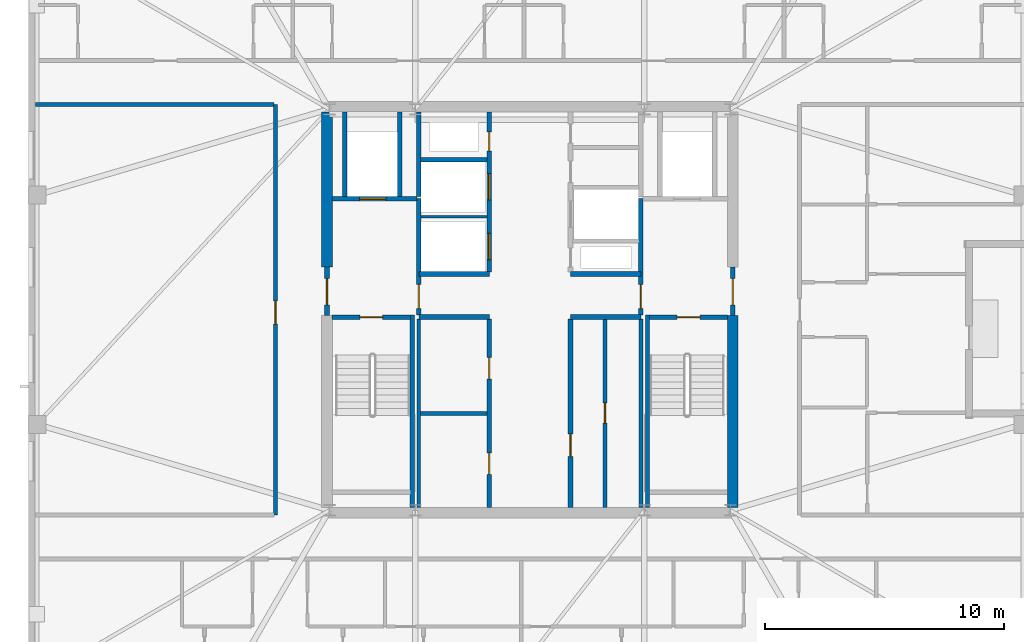
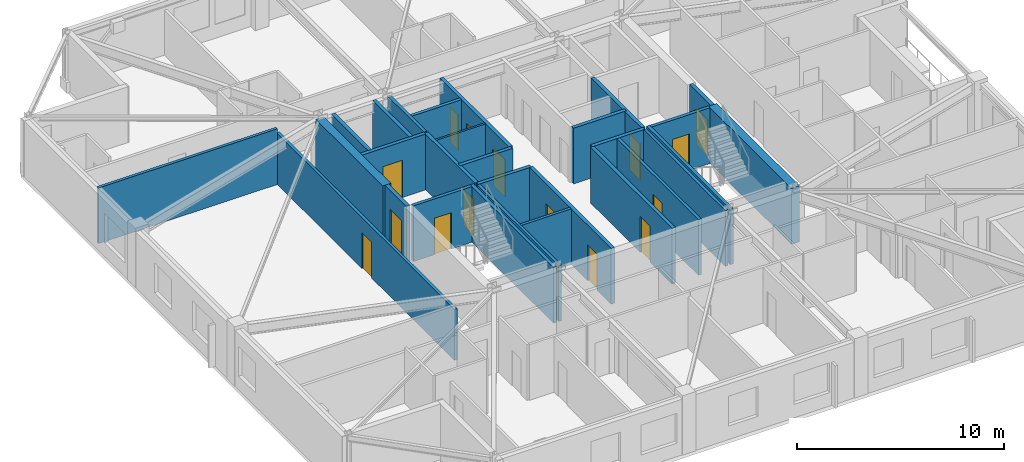
# One storey, part 8 of 14: 29 walls, 15 doors, 15 openings.
"""IFC4 building model written with IfcOpenShell, lengths in metres."""

import ifcopenshell
import ifcopenshell.guid

model = None  # the IFC model being written
_history = None  # IfcOwnerHistory: only IFC2X3 demands one
_inside = {}  # id of a spatial element -> (the spatial element, [elements in it])
_under = {}  # id of a project, library or spatial element -> (it, [spatial elements below it])
_declared = {}  # id of a project -> (the project, [libraries it declares])
_typed = {}  # id of a type object -> (the type object, [elements of that type])
_made_of = {}  # id of a material, layer set ... -> (it, [elements and type objects made of it])


def new_model(schema):
    """Start an empty IFC model of exactly this schema.

    Asked for "IFC4X3", IfcOpenShell would pick the latest addendum, in which some entities
    have other attributes; the version numbers below select the first issue.
    IFC2X3 requires an IfcOwnerHistory on every rooted entity: one is made here for all.
    """
    global model, _history
    if schema == "IFC4X3":
        model = ifcopenshell.file(schema_version=(4, 3, 0, 0))
    else:
        model = ifcopenshell.file(schema=schema)
    _inside.clear()
    _under.clear()
    _declared.clear()
    _typed.clear()
    _made_of.clear()
    _history = None
    if model.schema == "IFC2X3":
        org = make("IfcOrganization", Name="unknown")
        user = make(
            "IfcPersonAndOrganization",
            ThePerson=make("IfcPerson", FamilyName="unknown"),
            TheOrganization=org,
        )
        app = make(
            "IfcApplication",
            ApplicationDeveloper=org,
            Version="unknown",
            ApplicationFullName="unknown",
            ApplicationIdentifier="unknown",
        )
        _history = make(
            "IfcOwnerHistory",
            OwningUser=user,
            OwningApplication=app,
            ChangeAction="ADDED",
            CreationDate=0,
        )
    return model


def make(cls, **values):
    """One entity of the class cls with the attributes given. An attribute that is None is left unset."""
    return model.create_entity(
        cls, **{name: value for name, value in values.items() if value is not None}
    )


def rooted(cls, **values):
    """An entity with a GlobalId (a new one), such as an element, a storey or a relation."""
    return make(cls, GlobalId=ifcopenshell.guid.new(), OwnerHistory=_history, **values)


def si_unit(unit_type, name, prefix=None):
    """IfcSIUnit, for example si_unit("LENGTHUNIT", "METRE", prefix="MILLI")."""
    return make("IfcSIUnit", UnitType=unit_type, Prefix=prefix, Name=name)


def assignment(units):
    """IfcUnitAssignment: the units of a project."""
    return None if units is None else make("IfcUnitAssignment", Units=units)


def point(xyz):
    """IfcCartesianPoint."""
    return None if xyz is None else make("IfcCartesianPoint", Coordinates=xyz)


def direction(xyz):
    """IfcDirection."""
    return None if xyz is None else make("IfcDirection", DirectionRatios=xyz)


def frame(location, z_axis=None, x_axis=None):
    """IfcAxis2Placement3D, a coordinate frame: its origin and axes. An axis left out is left unset."""
    return make(
        "IfcAxis2Placement3D",
        Location=point(location),
        Axis=direction(z_axis),
        RefDirection=direction(x_axis),
    )


def frame_2d(location, x_axis=None):
    """IfcAxis2Placement2D, a coordinate frame in the plane: its origin and x axis."""
    return make(
        "IfcAxis2Placement2D", Location=point(location), RefDirection=direction(x_axis)
    )


def origin():
    """The frame at (0, 0, 0) with its axes left unset."""
    return frame((0.0, 0.0, 0.0))


def place(relative_to, where):
    """IfcLocalPlacement: puts the frame where relative to a parent placement (None: the world)."""
    return make(
        "IfcLocalPlacement", PlacementRelTo=relative_to, RelativePlacement=where
    )


def context(
    kind, dimensions, precision=None, world=None, true_north=None, identifier=None
):
    """IfcGeometricRepresentationContext, for example the 3D "Model" context."""
    return make(
        "IfcGeometricRepresentationContext",
        ContextIdentifier=identifier,
        ContextType=kind,
        CoordinateSpaceDimension=dimensions,
        Precision=precision,
        WorldCoordinateSystem=world,
        TrueNorth=true_north,
    )


def subcontext(parent, identifier, kind, view, scale=None):
    """IfcGeometricRepresentationSubContext, for example "Body" below "Model"."""
    return make(
        "IfcGeometricRepresentationSubContext",
        ContextIdentifier=identifier,
        ContextType=kind,
        ParentContext=parent,
        TargetScale=scale,
        TargetView=view,
    )


def project(units=None, contexts=None):
    """IfcProject with its units and contexts."""
    return rooted(
        "IfcProject",
        Name="project",
        RepresentationContexts=contexts,
        UnitsInContext=assignment(units),
    )


def spatial(cls, under=None, at=None, **own):
    """A site, building, storey or space (cls), placed at a placement, below another one or the project."""
    s = rooted(cls, ObjectPlacement=at, **own)
    if under is not None:
        _under.setdefault(under.id(), (under, []))[1].append(s)
    return s


def profile(cls, at=None, kind="AREA", **sizes):
    """A parametric profile (cls). Its sizes go by their IFC names, for example OverallWidth=200.0."""
    return make(cls, ProfileType=kind, Position=at, **sizes)


def rectangle(**sizes):
    """IfcRectangleProfileDef."""
    return profile("IfcRectangleProfileDef", **sizes)


def extrude(swept, where, along, depth):
    """IfcExtrudedAreaSolid: the profile swept, set in the frame where, extruded along a direction by depth."""
    return make(
        "IfcExtrudedAreaSolid",
        SweptArea=swept,
        Position=where,
        ExtrudedDirection=direction(along),
        Depth=depth,
    )


def shape(context_of_items, identifier, shape_type, items):
    """IfcShapeRepresentation: the items that make up one representation, for example the "Body"."""
    return make(
        "IfcShapeRepresentation",
        ContextOfItems=context_of_items,
        RepresentationIdentifier=identifier,
        RepresentationType=shape_type,
        Items=items,
    )


def material(Name=None, Category=None):
    """IfcMaterial."""
    return make("IfcMaterial", Name=Name, Category=Category)


def layer(
    of_material, thickness, ventilated=None, Name=None, Category=None, Priority=None
):
    """IfcMaterialLayer: one layer of a wall or slab, of a material (None: an air gap)."""
    return make(
        "IfcMaterialLayer",
        Material=of_material,
        LayerThickness=thickness,
        IsVentilated=ventilated,
        Name=Name,
        Category=Category,
        Priority=Priority,
    )


def layer_set(layers, Name=None):
    """IfcMaterialLayerSet."""
    return make("IfcMaterialLayerSet", MaterialLayers=layers, LayerSetName=Name)


def made_of(thing, what):
    """Note that an element or type object is made of a material, layer set ...; save() writes the relation."""
    if what is not None:
        _made_of.setdefault(what.id(), (what, []))[1].append(thing)
    return thing


def type_object(cls, material=None, **own):
    """A type object (cls), such as IfcWallType, which elements share."""
    return made_of(rooted(cls, **own), material)


def element(
    cls,
    number,
    at=None,
    inside=None,
    cuts=None,
    type_object=None,
    material=None,
    context=None,
    identifier="Body",
    shape_type=None,
    held_by="IfcProductDefinitionShape",
    body=None,
    shapes=None,
    **own,
):
    """One element of the class cls, such as IfcWall. Its Tag is "e" and its number.

    at: its placement. inside: the storey or other place that contains it. cuts: it is an
    opening in that element (IfcRelVoidsElement). A single representation is given by context,
    identifier, shape_type and body (its items); several are given by shapes. held_by: the class
    of the entity that holds the representations. save() writes the other relations.
    """
    e = rooted(cls, Tag="e%d" % number, ObjectPlacement=at, **own)
    if body is not None:
        shapes = [shape(context, identifier, shape_type, body)]
    if shapes is not None:
        e.Representation = make(held_by, Representations=shapes)
    if inside is not None:
        _inside.setdefault(inside.id(), (inside, []))[1].append(e)
    if cuts is not None:
        rooted(
            "IfcRelVoidsElement", RelatingBuildingElement=cuts, RelatedOpeningElement=e
        )
    if type_object is not None:
        _typed.setdefault(type_object.id(), (type_object, []))[1].append(e)
    return made_of(e, material)


def fill(opening, filler):
    """IfcRelFillsElement: the door or window that sits in an opening."""
    return rooted(
        "IfcRelFillsElement",
        RelatingOpeningElement=opening,
        RelatedBuildingElement=filler,
    )


def aggregate(whole, parts):
    """IfcRelAggregates: a whole, such as a stair, and the parts it consists of."""
    return rooted("IfcRelAggregates", RelatingObject=whole, RelatedObjects=parts)


def save(model, path):
    """Write the relations noted so far, then the file.

    IfcRelAggregates (storeys below a building ...), IfcRelContainedInSpatialStructure (elements
    in a storey), IfcRelDefinesByType, IfcRelAssociatesMaterial and IfcRelDeclares: one each for
    every whole, place, type object, material and project.
    """
    for whole, parts in _under.values():
        aggregate(whole, parts)
    for where, things in _inside.values():
        rooted(
            "IfcRelContainedInSpatialStructure",
            RelatedElements=things,
            RelatingStructure=where,
        )
    for kind, things in _typed.values():
        rooted("IfcRelDefinesByType", RelatedObjects=things, RelatingType=kind)
    for what, things in _made_of.values():
        rooted("IfcRelAssociatesMaterial", RelatedObjects=things, RelatingMaterial=what)
    for by, libraries in _declared.values():
        rooted("IfcRelDeclares", RelatingContext=by, RelatedDefinitions=libraries)
    model.write(path)


model = new_model("IFC4")

# Units and contexts
model_context = context("Model", 3, precision=1e-05, world=origin(), true_north=direction((0.0, 1.0)))
body_context = subcontext(model_context, "Body", "Model", "MODEL_VIEW")
ifc_project = project(units=[si_unit("LENGTHUNIT", "METRE"), si_unit("AREAUNIT", "SQUARE_METRE"), si_unit("VOLUMEUNIT", "CUBIC_METRE"), si_unit("PLANEANGLEUNIT", "RADIAN"), si_unit("MASSUNIT", "GRAM", prefix="KILO")], contexts=[model_context])

# Site, building, storey
site_placement = place(None, origin())
site = spatial("IfcSite", under=ifc_project, at=site_placement, CompositionType="ELEMENT")
building_placement = place(site_placement, origin())
building = spatial("IfcBuilding", under=site, at=building_placement, Name="Cairnveth Concourse Tower", CompositionType="ELEMENT")
storey_placement = place(building_placement, frame((0.0, 0.0, 301.5)))
storey = spatial("IfcBuildingStorey", under=building, at=storey_placement, Name="L83", CompositionType="ELEMENT", Elevation=301.5)

# Walls
ifc_material_1 = material(Name="Gypsum Plasterboard Partition", Category="gypsum")
ifc_layer_1 = layer(ifc_material_1, 0.159912109375)
ifc_layer_set_1 = layer_set([ifc_layer_1], Name="Gypsum Plasterboard Partition")
wall_type_1 = type_object("IfcWallType", Name="ACOUSTIC PARTY WALL 180", PredefinedType="PARTITIONING", material=ifc_layer_set_1)
wall_1_placement = place(storey_placement, frame((47.35009765625, 30.7099609375, 0.0), z_axis=(0.0, 0.0, 1.0), x_axis=(0.0, 1.0, 0.0)))
element("IfcWall", 1, at=wall_1_placement, inside=storey, type_object=wall_type_1, Name="Interior Wall IW-L83-025", PredefinedType="PARTITIONING", context=body_context, shape_type="SweptSolid", body=[
    extrude(rectangle(XDim=7.905029296875, YDim=0.159912109375, at=frame_2d((3.95263671875, 0.0))), origin(), (0.0, 0.0, 1.0), 3.2900390625),
])
wall_2_placement = place(storey_placement, frame((47.4150390625, 34.64990234375, 0.0), z_axis=(0.0, 0.0, 1.0), x_axis=(1.0, 0.0, 0.0)))
element("IfcWall", 2, at=wall_2_placement, inside=storey, type_object=wall_type_1, Name="Interior Wall IW-L83-026", PredefinedType="PARTITIONING", context=body_context, shape_type="SweptSolid", body=[
    extrude(rectangle(XDim=2.800048828125, YDim=0.159912109375, at=frame_2d((1.39990234375, 0.0))), origin(), (0.0, 0.0, 1.0), 3.2900390625),
])
wall_3_placement = place(storey_placement, frame((56.64990234375, 30.7099609375, 0.0), z_axis=(0.0, 0.0, 1.0), x_axis=(0.0, 1.0, 0.0)))
element("IfcWall", 3, at=wall_3_placement, inside=storey, type_object=wall_type_1, Name="Interior Wall IW-L83-027", PredefinedType="PARTITIONING", context=body_context, shape_type="SweptSolid", body=[
    extrude(rectangle(XDim=7.905029296875, YDim=0.159912109375, at=frame_2d((3.95263671875, 0.0))), origin(), (0.0, 0.0, 1.0), 3.2900390625),
])

# Wall, opening, door
wall_4_placement = place(storey_placement, frame((55.14990234375, 30.7099609375, 0.0), z_axis=(0.0, 0.0, 1.0), x_axis=(0.0, 1.0, 0.0)))
wall_4 = element("IfcWall", 4, at=wall_4_placement, inside=storey, type_object=wall_type_1, Name="Interior Wall IW-L83-028", PredefinedType="PARTITIONING", context=body_context, shape_type="SweptSolid", body=[
    extrude(rectangle(XDim=7.905029296875, YDim=0.159912109375, at=frame_2d((3.95263671875, 0.0))), origin(), (0.0, 0.0, 1.0), 3.2900390625),
])
opening_1_placement = place(wall_4_placement, frame((3.5400390625, 0.0, 0.0)))
opening_1 = element("IfcOpeningElement", 5, at=opening_1_placement, cuts=wall_4, Name="Opening ID19", PredefinedType="OPENING", context=body_context, shape_type="SweptSolid", body=[
    extrude(rectangle(XDim=0.85009765625, YDim=2.1201171875, at=frame_2d((0.425048828125, 1.06005859375))), frame((0.0, 0.08984375, 0.0), z_axis=(0.0, -1.0, 0.0), x_axis=(1.0, 0.0, 0.0)), (0.0, 0.0, 1.0), 0.179931640625),
])
ifc_material_2 = material(Name="Steel Grade 350", Category="steel")
door_type_1 = type_object("IfcDoorType", Name="CORE SERVICE DOOR 850X2100", OperationType="NOTDEFINED", PredefinedType="DOOR", material=ifc_material_2)
door_1_placement = place(opening_1_placement, origin())
door_1 = element("IfcDoor", 6, at=door_1_placement, inside=storey, type_object=door_type_1, Name="Wine Cellar Door L83", OperationType="SINGLE_SWING_RIGHT", OverallHeight=2.1201171875, OverallWidth=0.85009765625, PredefinedType="DOOR", context=body_context, shape_type="SweptSolid", body=[
    extrude(rectangle(XDim=0.85009765625, YDim=2.1201171875, at=frame_2d((0.425048828125, 1.06005859375))), frame((0.0, 0.02490234375, 0.0), z_axis=(0.0, -1.0, 0.0), x_axis=(1.0, 0.0, 0.0)), (0.0, 0.0, 1.0), 0.050048828125),
])
fill(opening_1, door_1)

wall_5_placement = place(storey_placement, frame((41.35009765625, 30.39990234375, 0.0), z_axis=(0.0, 0.0, 1.0), x_axis=(0.0, 1.0, 0.0)))
wall_5 = element("IfcWall", 7, at=wall_5_placement, inside=storey, type_object=wall_type_1, Name="Interior Wall IW-L83-038", PredefinedType="PARTITIONING", context=body_context, shape_type="SweptSolid", body=[
    extrude(rectangle(XDim=17.2001953125, YDim=0.159912109375, at=frame_2d((8.60009765625, 0.0))), origin(), (0.0, 0.0, 1.0), 3.009033203125),
])
opening_2_placement = place(wall_5_placement, frame((8.0, 0.0, 0.0)))
opening_2 = element("IfcOpeningElement", 8, at=opening_2_placement, cuts=wall_5, Name="Opening ID11", PredefinedType="OPENING", context=body_context, shape_type="SweptSolid", body=[
    extrude(rectangle(XDim=0.9599609375, YDim=2.1201171875, at=frame_2d((0.47998046875, 1.06005859375))), frame((0.0, 0.08984375, 0.0), z_axis=(0.0, -1.0, 0.0), x_axis=(1.0, 0.0, 0.0)), (0.0, 0.0, 1.0), 0.179931640625),
])
ifc_material_3 = material(Name="Solid Core Hardwood Timber Leaf", Category="wood")
door_type_2 = type_object("IfcDoorType", Name="INTERIOR SINGLE DOOR 960X2150", OperationType="NOTDEFINED", PredefinedType="DOOR", material=ifc_material_3)
door_2_placement = place(opening_2_placement, origin())
door_2 = element("IfcDoor", 9, at=door_2_placement, inside=storey, type_object=door_type_2, Name="Interior Door DR-L83-045", OperationType="SINGLE_SWING_LEFT", OverallHeight=2.1201171875, OverallWidth=0.9599609375, PredefinedType="DOOR", context=body_context, shape_type="SweptSolid", body=[
    extrude(rectangle(XDim=0.9599609375, YDim=2.1201171875, at=frame_2d((0.47998046875, 1.06005859375))), frame((0.0, 0.02490234375, 0.0), z_axis=(0.0, -1.0, 0.0), x_axis=(1.0, 0.0, 0.0)), (0.0, 0.0, 1.0), 0.050048828125),
])
fill(opening_2, door_2)

# Walls
wall_6_placement = place(storey_placement, frame((31.284912109375, 47.60009765625, 0.0), z_axis=(0.0, 0.0, 1.0), x_axis=(1.0, 0.0, 0.0)))
element("IfcWall", 10, at=wall_6_placement, inside=storey, type_object=wall_type_1, Name="Interior Wall IW-L83-041", PredefinedType="PARTITIONING", context=body_context, shape_type="SweptSolid", body=[
    extrude(rectangle(XDim=10.0, YDim=0.159912109375, at=frame_2d((5.0, 0.0))), origin(), (0.0, 0.0, 1.0), 3.2900390625),
])
ifc_material_4 = material(Name="Concrete N65 (65 MPa)", Category="concrete")
ifc_layer_2 = layer(ifc_material_4, 0.449951171875)
ifc_layer_set_2 = layer_set([ifc_layer_2], Name="Concrete N65 (65 MPa)")
wall_type_2 = type_object("IfcWallType", Name="CORE SHEAR WALL 450", PredefinedType="SHEAR", material=ifc_layer_set_2)
wall_7_placement = place(storey_placement, frame((43.5, 40.800048828125, 0.0), z_axis=(0.0, 0.0, 1.0), x_axis=(0.0, 1.0, 0.0)))
element("IfcWall", 11, at=wall_7_placement, inside=storey, type_object=wall_type_2, Name="Core West Shear Wall N L83", PredefinedType="SHEAR", context=body_context, shape_type="SweptSolid", body=[
    extrude(rectangle(XDim=6.48486328125, YDim=0.449951171875, at=frame_2d((3.242431640625, 0.0))), origin(), (0.0, 0.0, 1.0), 3.2900390625),
])
wall_8_placement = place(storey_placement, frame((60.5, 30.715087890625, 0.0), z_axis=(0.0, 0.0, 1.0), x_axis=(0.0, 1.0, 0.0)))
element("IfcWall", 12, at=wall_8_placement, inside=storey, type_object=wall_type_2, Name="Core East Shear Wall S L83", PredefinedType="SHEAR", context=body_context, shape_type="SweptSolid", body=[
    extrude(rectangle(XDim=8.034912109375, YDim=0.449951171875, at=frame_2d((4.017578125, 0.0))), origin(), (0.0, 0.0, 1.0), 3.2900390625),
])
ifc_material_5 = material(Name="Concrete N50 (50 MPa)", Category="concrete")
ifc_layer_3 = layer(ifc_material_5, 0.179931640625)
ifc_layer_set_3 = layer_set([ifc_layer_3], Name="Concrete N50 (50 MPa)")
wall_type_3 = type_object("IfcWallType", Name="FIRE SHAFT WALL 180", PredefinedType="SOLIDWALL", material=ifc_layer_set_3)
wall_9_placement = place(storey_placement, frame((47.35009765625, 43.735107421875, 0.0), z_axis=(0.0, 0.0, 1.0), x_axis=(0.0, 1.0, 0.0)))
element("IfcWall", 13, at=wall_9_placement, inside=storey, type_object=wall_type_3, Name="Interior Wall IW-L83-029", PredefinedType="SOLIDWALL", context=body_context, shape_type="SweptSolid", body=[
    extrude(rectangle(XDim=3.554931640625, YDim=0.179931640625, at=frame_2d((1.77734375, 0.0))), origin(), (0.0, 0.0, 1.0), 3.2900390625),
])
wall_10_placement = place(storey_placement, frame((47.425048828125, 45.280029296875, 0.0), z_axis=(0.0, 0.0, 1.0), x_axis=(1.0, 0.0, 0.0)))
element("IfcWall", 14, at=wall_10_placement, inside=storey, type_object=wall_type_3, Name="Interior Wall IW-L83-031", PredefinedType="SOLIDWALL", context=body_context, shape_type="SweptSolid", body=[
    extrude(rectangle(XDim=2.7900390625, YDim=0.179931640625, at=frame_2d((1.39501953125, 0.0))), origin(), (0.0, 0.0, 1.0), 3.2900390625),
])

# Wall, opening, door
wall_11_placement = place(storey_placement, frame((43.715087890625, 38.68994140625, 0.0), z_axis=(0.0, 0.0, 1.0), x_axis=(1.0, 0.0, 0.0)))
wall_11 = element("IfcWall", 15, at=wall_11_placement, inside=storey, type_object=wall_type_3, Name="Stair ST-1 Shaft Wall NEAR L83", PredefinedType="SOLIDWALL", context=body_context, shape_type="SweptSolid", body=[
    extrude(rectangle(XDim=3.280029296875, YDim=0.179931640625, at=frame_2d((1.64013671875, 0.0))), origin(), (0.0, 0.0, 1.0), 3.2900390625),
])
opening_3_placement = place(wall_11_placement, frame((1.1650390625, 0.0, 0.0)))
opening_3 = element("IfcOpeningElement", 16, at=opening_3_placement, cuts=wall_11, Name="Opening ID12", PredefinedType="OPENING", context=body_context, shape_type="SweptSolid", body=[
    extrude(rectangle(XDim=0.949951171875, YDim=2.14990234375, at=frame_2d((0.47509765625, 1.074951171875))), frame((0.0, 0.099853515625, 0.0), z_axis=(0.0, -1.0, 0.0), x_axis=(1.0, 0.0, 0.0)), (0.0, 0.0, 1.0), 0.199951171875),
])
door_type_3 = type_object("IfcDoorType", Name="FIRE STAIR DOOR 950X2150", OperationType="NOTDEFINED", PredefinedType="DOOR", material=ifc_material_2)
door_3_placement = place(opening_3_placement, origin())
door_3 = element("IfcDoor", 17, at=door_3_placement, inside=storey, type_object=door_type_3, Name="Stair ST-1 Fire Door L83", OperationType="SINGLE_SWING_LEFT", OverallHeight=2.14990234375, OverallWidth=0.949951171875, PredefinedType="DOOR", context=body_context, shape_type="SweptSolid", body=[
    extrude(rectangle(XDim=0.949951171875, YDim=2.14990234375, at=frame_2d((0.47509765625, 1.074951171875))), frame((0.0, 0.02490234375, 0.0), z_axis=(0.0, -1.0, 0.0), x_axis=(1.0, 0.0, 0.0)), (0.0, 0.0, 1.0), 0.050048828125),
])
fill(opening_3, door_3)

# Wall
wall_12_placement = place(storey_placement, frame((47.070068359375, 38.780029296875, 0.0), z_axis=(0.0, 0.0, 1.0), x_axis=(0.0, -1.0, 0.0)))
element("IfcWall", 18, at=wall_12_placement, inside=storey, type_object=wall_type_3, Name="Stair ST-1 Shaft Wall RGHT L83", PredefinedType="SOLIDWALL", context=body_context, shape_type="SweptSolid", body=[
    extrude(rectangle(XDim=8.067138671875, YDim=0.179931640625, at=frame_2d((4.03369140625, 0.0))), origin(), (0.0, 0.0, 1.0), 3.2900390625),
])

# Wall, opening, door
wall_13_placement = place(storey_placement, frame((57.0048828125, 38.68994140625, 0.0), z_axis=(0.0, 0.0, 1.0), x_axis=(1.0, 0.0, 0.0)))
wall_13 = element("IfcWall", 19, at=wall_13_placement, inside=storey, type_object=wall_type_3, Name="Stair ST-2 Shaft Wall NEAR L83", PredefinedType="SOLIDWALL", context=body_context, shape_type="SweptSolid", body=[
    extrude(rectangle(XDim=3.280029296875, YDim=0.179931640625, at=frame_2d((1.64013671875, 0.0))), origin(), (0.0, 0.0, 1.0), 3.2900390625),
])
opening_4_placement = place(wall_13_placement, frame((1.1650390625, 0.0, 0.0)))
opening_4 = element("IfcOpeningElement", 20, at=opening_4_placement, cuts=wall_13, Name="Opening ID12", PredefinedType="OPENING", context=body_context, shape_type="SweptSolid", body=[
    extrude(rectangle(XDim=0.949951171875, YDim=2.14990234375, at=frame_2d((0.47509765625, 1.074951171875))), frame((0.0, 0.099853515625, 0.0), z_axis=(0.0, -1.0, 0.0), x_axis=(1.0, 0.0, 0.0)), (0.0, 0.0, 1.0), 0.199951171875),
])
door_4_placement = place(opening_4_placement, origin())
door_4 = element("IfcDoor", 21, at=door_4_placement, inside=storey, type_object=door_type_3, Name="Stair ST-2 Fire Door L83", OperationType="SINGLE_SWING_RIGHT", OverallHeight=2.14990234375, OverallWidth=0.949951171875, PredefinedType="DOOR", context=body_context, shape_type="SweptSolid", body=[
    extrude(rectangle(XDim=0.949951171875, YDim=2.14990234375, at=frame_2d((0.47509765625, 1.074951171875))), frame((0.0, 0.02490234375, 0.0), z_axis=(0.0, -1.0, 0.0), x_axis=(1.0, 0.0, 0.0)), (0.0, 0.0, 1.0), 0.050048828125),
])
fill(opening_4, door_4)

# Walls
wall_14_placement = place(storey_placement, frame((56.929931640625, 38.780029296875, 0.0), z_axis=(0.0, 0.0, 1.0), x_axis=(0.0, -1.0, 0.0)))
element("IfcWall", 22, at=wall_14_placement, inside=storey, type_object=wall_type_3, Name="Stair ST-2 Shaft Wall LEFT L83", PredefinedType="SOLIDWALL", context=body_context, shape_type="SweptSolid", body=[
    extrude(rectangle(XDim=8.067138671875, YDim=0.179931640625, at=frame_2d((4.03369140625, 0.0))), origin(), (0.0, 0.0, 1.0), 3.2900390625),
])
ifc_layer_4 = layer(ifc_material_5, 0.199951171875)
ifc_layer_set_4 = layer_set([ifc_layer_4], Name="Concrete N50 (50 MPa)")
wall_type_4 = type_object("IfcWallType", Name="FIRE SHAFT WALL 200", PredefinedType="SOLIDWALL", material=ifc_layer_set_4)
for number, where, z_axis, x_axis, name in (
    (23, (47.35009765625, 38.699951171875, 0.0), (0.0, 0.0, 1.0), (1.0, 0.0, 0.0), "Interior Wall IW-L83-007"),
    (24, (47.35009765625, 40.5, 0.0), (0.0, 0.0, 1.0), (1.0, 0.0, 0.0), "Interior Wall IW-L83-008"),
    (25, (53.699951171875, 38.699951171875, 0.0), (0.0, 0.0, 1.0), (1.0, 0.0, 0.0), "Interior Wall IW-L83-009"),
    (26, (53.699951171875, 40.5, 0.0), (0.0, 0.0, 1.0), (1.0, 0.0, 0.0), "Interior Wall IW-L83-010"),
):
    element("IfcWall", number, at=place(storey_placement, frame(where, z_axis=z_axis, x_axis=x_axis)), inside=storey, type_object=wall_type_4, Name=name, PredefinedType="SOLIDWALL", context=body_context, shape_type="SweptSolid", body=[
        extrude(rectangle(XDim=2.949951171875, YDim=0.199951171875, at=frame_2d((1.47509765625, 0.0))), origin(), (0.0, 0.0, 1.0), 3.2900390625),
    ])

# Wall, openings, doors
wall_15_placement = place(storey_placement, frame((50.300048828125, 30.7099609375, 0.0), z_axis=(0.0, 0.0, 1.0), x_axis=(0.0, 1.0, 0.0)))
wall_15 = element("IfcWall", 27, at=wall_15_placement, inside=storey, type_object=wall_type_4, Name="Interior Wall IW-L83-011", PredefinedType="SOLIDWALL", context=body_context, shape_type="SweptSolid", body=[
    extrude(rectangle(XDim=7.905029296875, YDim=0.199951171875, at=frame_2d((3.95263671875, 0.0))), origin(), (0.0, 0.0, 1.0), 3.2900390625),
])
opening_5_placement = place(wall_15_placement, frame((1.389892578125, 0.0, 0.0)))
opening_5 = element("IfcOpeningElement", 28, at=opening_5_placement, cuts=wall_15, Name="Opening ID26", PredefinedType="OPENING", context=body_context, shape_type="SweptSolid", body=[
    extrude(rectangle(XDim=0.89990234375, YDim=2.1201171875, at=frame_2d((0.449951171875, 1.06005859375))), frame((0.0, 0.10986328125, 0.0), z_axis=(0.0, -1.0, 0.0), x_axis=(1.0, 0.0, 0.0)), (0.0, 0.0, 1.0), 0.219970703125),
])
opening_6_placement = place(wall_15_placement, frame((5.389892578125, 0.0, 0.0)))
opening_6 = element("IfcOpeningElement", 29, at=opening_6_placement, cuts=wall_15, Name="Opening ID26", PredefinedType="OPENING", context=body_context, shape_type="SweptSolid", body=[
    extrude(rectangle(XDim=0.89990234375, YDim=2.1201171875, at=frame_2d((0.449951171875, 1.06005859375))), frame((0.0, 0.10986328125, 0.0), z_axis=(0.0, -1.0, 0.0), x_axis=(1.0, 0.0, 0.0)), (0.0, 0.0, 1.0), 0.219970703125),
])
door_type_4 = type_object("IfcDoorType", Name="CORE TOILET FIRE DOOR 900X2120", OperationType="NOTDEFINED", PredefinedType="DOOR", material=ifc_material_2)
door_5_placement = place(opening_5_placement, origin())
door_5 = element("IfcDoor", 30, at=door_5_placement, inside=storey, type_object=door_type_4, Name="Male WC Door L83", OperationType="SINGLE_SWING_LEFT", OverallHeight=2.1201171875, OverallWidth=0.89990234375, PredefinedType="DOOR", context=body_context, shape_type="SweptSolid", body=[
    extrude(rectangle(XDim=0.89990234375, YDim=2.1201171875, at=frame_2d((0.449951171875, 1.06005859375))), frame((0.0, 0.02490234375, 0.0), z_axis=(0.0, -1.0, 0.0), x_axis=(1.0, 0.0, 0.0)), (0.0, 0.0, 1.0), 0.050048828125),
])
fill(opening_5, door_5)
door_6_placement = place(opening_6_placement, origin())
door_6 = element("IfcDoor", 31, at=door_6_placement, inside=storey, type_object=door_type_4, Name="Female WC Door L83", OperationType="SINGLE_SWING_RIGHT", OverallHeight=2.1201171875, OverallWidth=0.89990234375, PredefinedType="DOOR", context=body_context, shape_type="SweptSolid", body=[
    extrude(rectangle(XDim=0.89990234375, YDim=2.1201171875, at=frame_2d((0.449951171875, 1.06005859375))), frame((0.0, 0.02490234375, 0.0), z_axis=(0.0, -1.0, 0.0), x_axis=(1.0, 0.0, 0.0)), (0.0, 0.0, 1.0), 0.050048828125),
])
fill(opening_6, door_6)

# Wall, opening, door
wall_16_placement = place(storey_placement, frame((53.699951171875, 30.7099609375, 0.0), z_axis=(0.0, 0.0, 1.0), x_axis=(0.0, 1.0, 0.0)))
wall_16 = element("IfcWall", 32, at=wall_16_placement, inside=storey, type_object=wall_type_4, Name="Interior Wall IW-L83-012", PredefinedType="SOLIDWALL", context=body_context, shape_type="SweptSolid", body=[
    extrude(rectangle(XDim=7.905029296875, YDim=0.199951171875, at=frame_2d((3.95263671875, 0.0))), origin(), (0.0, 0.0, 1.0), 3.2900390625),
])
opening_7_placement = place(wall_16_placement, frame((2.139892578125, 0.0, 0.0)))
opening_7 = element("IfcOpeningElement", 33, at=opening_7_placement, cuts=wall_16, Name="Opening ID25", PredefinedType="OPENING", context=body_context, shape_type="SweptSolid", body=[
    extrude(rectangle(XDim=0.949951171875, YDim=2.1201171875, at=frame_2d((0.47509765625, 1.06005859375))), frame((0.0, 0.10986328125, 0.0), z_axis=(0.0, -1.0, 0.0), x_axis=(1.0, 0.0, 0.0)), (0.0, 0.0, 1.0), 0.219970703125),
])
door_type_5 = type_object("IfcDoorType", Name="CORE ACCESSIBLE FIRE DOOR 950X2120", OperationType="NOTDEFINED", PredefinedType="DOOR", material=ifc_material_2)
door_7_placement = place(opening_7_placement, origin())
door_7 = element("IfcDoor", 34, at=door_7_placement, inside=storey, type_object=door_type_5, Name="Sky Restroom Door L83", OperationType="SINGLE_SWING_LEFT", OverallHeight=2.1201171875, OverallWidth=0.949951171875, PredefinedType="DOOR", context=body_context, shape_type="SweptSolid", body=[
    extrude(rectangle(XDim=0.949951171875, YDim=2.1201171875, at=frame_2d((0.47509765625, 1.06005859375))), frame((0.0, 0.02490234375, 0.0), z_axis=(0.0, -1.0, 0.0), x_axis=(1.0, 0.0, 0.0)), (0.0, 0.0, 1.0), 0.050048828125),
])
fill(opening_7, door_7)

# Wall, openings, doors
wall_17_placement = place(storey_placement, frame((50.300048828125, 40.5849609375, 0.0), z_axis=(0.0, 0.0, 1.0), x_axis=(0.0, 1.0, 0.0)))
wall_17 = element("IfcWall", 35, at=wall_17_placement, inside=storey, type_object=wall_type_4, Name="Interior Wall IW-L83-013", PredefinedType="SOLIDWALL", context=body_context, shape_type="SweptSolid", body=[
    extrude(rectangle(XDim=6.705078125, YDim=0.199951171875, at=frame_2d((3.3525390625, 0.0))), origin(), (0.0, 0.0, 1.0), 3.2900390625),
])
opening_8_placement = place(wall_17_placement, frame((0.514892578125, 0.0, 0.0)))
opening_8 = element("IfcOpeningElement", 36, at=opening_8_placement, cuts=wall_17, Name="Opening LD-1", PredefinedType="OPENING", context=body_context, shape_type="SweptSolid", body=[
    extrude(rectangle(XDim=1.10009765625, YDim=2.199951171875, at=frame_2d((0.550048828125, 1.10009765625))), frame((0.0, 0.10986328125, 0.0), z_axis=(0.0, -1.0, 0.0), x_axis=(1.0, 0.0, 0.0)), (0.0, 0.0, 1.0), 0.219970703125),
])
opening_9_placement = place(wall_17_placement, frame((3.014892578125, 0.0, 0.0)))
opening_9 = element("IfcOpeningElement", 37, at=opening_9_placement, cuts=wall_17, Name="Opening LD-1", PredefinedType="OPENING", context=body_context, shape_type="SweptSolid", body=[
    extrude(rectangle(XDim=1.10009765625, YDim=2.199951171875, at=frame_2d((0.550048828125, 1.10009765625))), frame((0.0, 0.10986328125, 0.0), z_axis=(0.0, -1.0, 0.0), x_axis=(1.0, 0.0, 0.0)), (0.0, 0.0, 1.0), 0.219970703125),
])
opening_10_placement = place(wall_17_placement, frame((5.06494140625, 0.0, 0.0)))
opening_10 = element("IfcOpeningElement", 38, at=opening_10_placement, cuts=wall_17, Name="Opening ID24", PredefinedType="OPENING", context=body_context, shape_type="SweptSolid", body=[
    extrude(rectangle(XDim=0.800048828125, YDim=2.080078125, at=frame_2d((0.39990234375, 1.0400390625))), frame((0.0, 0.10986328125, 0.0), z_axis=(0.0, -1.0, 0.0), x_axis=(1.0, 0.0, 0.0)), (0.0, 0.0, 1.0), 0.219970703125),
])
ifc_material_6 = material(Name="Architectural Bronze Anodised Aluminium 6063-T6", Category="aluminium")
door_type_6 = type_object("IfcDoorType", Name="LIFT LANDING DOOR 1100X2200", OperationType="SLIDING_TO_LEFT", PredefinedType="DOOR", material=ifc_material_6)
door_8_placement = place(opening_8_placement, origin())
door_8 = element("IfcDoor", 39, at=door_8_placement, inside=storey, type_object=door_type_6, Name="Lift PL7 Landing Door L83", OperationType="SLIDING_TO_LEFT", OverallHeight=2.199951171875, OverallWidth=1.10009765625, PredefinedType="DOOR", context=body_context, shape_type="SweptSolid", body=[
    extrude(rectangle(XDim=1.10009765625, YDim=2.199951171875, at=frame_2d((0.550048828125, 1.10009765625))), frame((0.0, 0.02490234375, 0.0), z_axis=(0.0, -1.0, 0.0), x_axis=(1.0, 0.0, 0.0)), (0.0, 0.0, 1.0), 0.050048828125),
])
fill(opening_8, door_8)
door_9_placement = place(opening_9_placement, origin())
door_9 = element("IfcDoor", 40, at=door_9_placement, inside=storey, type_object=door_type_6, Name="Lift PL8 Landing Door L83", OperationType="SLIDING_TO_LEFT", OverallHeight=2.199951171875, OverallWidth=1.10009765625, PredefinedType="DOOR", context=body_context, shape_type="SweptSolid", body=[
    extrude(rectangle(XDim=1.10009765625, YDim=2.199951171875, at=frame_2d((0.550048828125, 1.10009765625))), frame((0.0, 0.02490234375, 0.0), z_axis=(0.0, -1.0, 0.0), x_axis=(1.0, 0.0, 0.0)), (0.0, 0.0, 1.0), 0.050048828125),
])
fill(opening_9, door_9)
door_type_7 = type_object("IfcDoorType", Name="RISER ACCESS DOOR 800X2100", OperationType="NOTDEFINED", PredefinedType="DOOR", material=ifc_material_2)
door_10_placement = place(opening_10_placement, origin())
door_10 = element("IfcDoor", 41, at=door_10_placement, inside=storey, type_object=door_type_7, Name="NW Electrical Riser Access Door L83", OperationType="SINGLE_SWING_LEFT", OverallHeight=2.080078125, OverallWidth=0.800048828125, PredefinedType="DOOR", context=body_context, shape_type="SweptSolid", body=[
    extrude(rectangle(XDim=0.800048828125, YDim=2.080078125, at=frame_2d((0.39990234375, 1.0400390625))), frame((0.0, 0.02490234375, 0.0), z_axis=(0.0, -1.0, 0.0), x_axis=(1.0, 0.0, 0.0)), (0.0, 0.0, 1.0), 0.050048828125),
])
fill(opening_10, door_10)

# Wall, opening, door
wall_18_placement = place(storey_placement, frame((43.5, 38.75, 0.0), z_axis=(0.0, 0.0, 1.0), x_axis=(0.0, 1.0, 0.0)))
wall_18 = element("IfcWall", 42, at=wall_18_placement, inside=storey, type_object=wall_type_4, Name="Interior Wall IW-L83-015", PredefinedType="SOLIDWALL", context=body_context, shape_type="SweptSolid", body=[
    extrude(rectangle(XDim=2.050048828125, YDim=0.199951171875, at=frame_2d((1.02490234375, 0.0))), origin(), (0.0, 0.0, 1.0), 3.2900390625),
])
opening_11_placement = place(wall_18_placement, frame((0.449951171875, 0.0, 0.0)))
opening_11 = element("IfcOpeningElement", 43, at=opening_11_placement, cuts=wall_18, Name="Opening ID06", PredefinedType="OPENING", context=body_context, shape_type="SweptSolid", body=[
    extrude(rectangle(XDim=1.10009765625, YDim=2.14990234375, at=frame_2d((0.550048828125, 1.074951171875))), frame((0.0, 0.10986328125, 0.0), z_axis=(0.0, -1.0, 0.0), x_axis=(1.0, 0.0, 0.0)), (0.0, 0.0, 1.0), 0.219970703125),
])
door_type_8 = type_object("IfcDoorType", Name="FIRE CORRIDOR DOOR 1100X2150", OperationType="NOTDEFINED", PredefinedType="DOOR", material=ifc_material_2)
door_11_placement = place(opening_11_placement, origin())
door_11 = element("IfcDoor", 44, at=door_11_placement, inside=storey, type_object=door_type_8, Name="West Wing to FF Lobby Door L83", OperationType="SINGLE_SWING_LEFT", OverallHeight=2.14990234375, OverallWidth=1.10009765625, PredefinedType="DOOR", context=body_context, shape_type="SweptSolid", body=[
    extrude(rectangle(XDim=1.10009765625, YDim=2.14990234375, at=frame_2d((0.550048828125, 1.074951171875))), frame((0.0, 0.02490234375, 0.0), z_axis=(0.0, -1.0, 0.0), x_axis=(1.0, 0.0, 0.0)), (0.0, 0.0, 1.0), 0.050048828125),
])
fill(opening_11, door_11)

wall_19_placement = place(storey_placement, frame((47.35009765625, 38.784912109375, 0.0), z_axis=(0.0, 0.0, 1.0), x_axis=(0.0, 1.0, 0.0)))
wall_19 = element("IfcWall", 45, at=wall_19_placement, inside=storey, type_object=wall_type_4, Name="Interior Wall IW-L83-016", PredefinedType="SOLIDWALL", context=body_context, shape_type="SweptSolid", body=[
    extrude(rectangle(XDim=4.864990234375, YDim=0.199951171875, at=frame_2d((2.4326171875, 0.0))), origin(), (0.0, 0.0, 1.0), 3.2900390625),
])
opening_12_placement = place(wall_19_placement, frame((0.264892578125, 0.0, 0.0)))
opening_12 = element("IfcOpeningElement", 46, at=opening_12_placement, cuts=wall_19, Name="Opening ID07", PredefinedType="OPENING", context=body_context, shape_type="SweptSolid", body=[
    extrude(rectangle(XDim=1.0, YDim=2.14990234375, at=frame_2d((0.5, 1.074951171875))), frame((0.0, 0.10986328125, 0.0), z_axis=(0.0, -1.0, 0.0), x_axis=(1.0, 0.0, 0.0)), (0.0, 0.0, 1.0), 0.219970703125),
])
door_type_9 = type_object("IfcDoorType", Name="FIRE CORRIDOR DOOR 1000X2150", OperationType="NOTDEFINED", PredefinedType="DOOR", material=ifc_material_2)
door_12_placement = place(opening_12_placement, origin())
door_12 = element("IfcDoor", 47, at=door_12_placement, inside=storey, type_object=door_type_9, Name="FF Lobby West to Lift Lobby Door L83", OperationType="SINGLE_SWING_RIGHT", OverallHeight=2.14990234375, OverallWidth=1.0, PredefinedType="DOOR", context=body_context, shape_type="SweptSolid", body=[
    extrude(rectangle(XDim=1.0, YDim=2.14990234375, at=frame_2d((0.5, 1.074951171875))), frame((0.0, 0.02490234375, 0.0), z_axis=(0.0, -1.0, 0.0), x_axis=(1.0, 0.0, 0.0)), (0.0, 0.0, 1.0), 0.050048828125),
])
fill(opening_12, door_12)

wall_20_placement = place(storey_placement, frame((43.7099609375, 43.64990234375, 0.0), z_axis=(0.0, 0.0, 1.0), x_axis=(1.0, 0.0, 0.0)))
wall_20 = element("IfcWall", 48, at=wall_20_placement, inside=storey, type_object=wall_type_4, Name="Interior Wall IW-L83-017", PredefinedType="SOLIDWALL", context=body_context, shape_type="SweptSolid", body=[
    extrude(rectangle(XDim=3.554931640625, YDim=0.199951171875, at=frame_2d((1.77734375, 0.0))), origin(), (0.0, 0.0, 1.0), 3.2900390625),
])
opening_13_placement = place(wall_20_placement, frame((1.159912109375, 0.0, 0.0)))
opening_13 = element("IfcOpeningElement", 49, at=opening_13_placement, cuts=wall_20, Name="Opening LD-1", PredefinedType="OPENING", context=body_context, shape_type="SweptSolid", body=[
    extrude(rectangle(XDim=1.10009765625, YDim=2.199951171875, at=frame_2d((0.550048828125, 1.10009765625))), frame((0.0, 0.10986328125, 0.0), z_axis=(0.0, -1.0, 0.0), x_axis=(1.0, 0.0, 0.0)), (0.0, 0.0, 1.0), 0.219970703125),
])
door_13_placement = place(opening_13_placement, origin())
door_13 = element("IfcDoor", 50, at=door_13_placement, inside=storey, type_object=door_type_6, Name="Lift FFL1 Landing Door L83", OperationType="SLIDING_TO_LEFT", OverallHeight=2.199951171875, OverallWidth=1.10009765625, PredefinedType="DOOR", context=body_context, shape_type="SweptSolid", body=[
    extrude(rectangle(XDim=1.10009765625, YDim=2.199951171875, at=frame_2d((0.550048828125, 1.10009765625))), frame((0.0, 0.02490234375, 0.0), z_axis=(0.0, -1.0, 0.0), x_axis=(1.0, 0.0, 0.0)), (0.0, 0.0, 1.0), 0.050048828125),
])
fill(opening_13, door_13)

# Walls
for number, where, z_axis, x_axis, name in (
    (51, (46.550048828125, 43.735107421875, 0.0), (0.0, 0.0, 1.0), (0.0, 1.0, 0.0), "Interior Wall IW-L83-018"),
    (52, (44.25, 43.735107421875, 0.0), (0.0, 0.0, 1.0), (0.0, 1.0, 0.0), "Interior Wall IW-L83-019"),
):
    element("IfcWall", number, at=place(storey_placement, frame(where, z_axis=z_axis, x_axis=x_axis)), inside=storey, type_object=wall_type_4, Name=name, PredefinedType="SOLIDWALL", context=body_context, shape_type="SweptSolid", body=[
        extrude(rectangle(XDim=3.554931640625, YDim=0.199951171875, at=frame_2d((1.77734375, 0.0))), origin(), (0.0, 0.0, 1.0), 3.2900390625),
    ])

# Wall, opening, door
wall_21_placement = place(storey_placement, frame((60.5, 38.75, 0.0), z_axis=(0.0, 0.0, 1.0), x_axis=(0.0, 1.0, 0.0)))
wall_21 = element("IfcWall", 53, at=wall_21_placement, inside=storey, type_object=wall_type_4, Name="Interior Wall IW-L83-020", PredefinedType="SOLIDWALL", context=body_context, shape_type="SweptSolid", body=[
    extrude(rectangle(XDim=2.050048828125, YDim=0.199951171875, at=frame_2d((1.02490234375, 0.0))), origin(), (0.0, 0.0, 1.0), 3.2900390625),
])
opening_14_placement = place(wall_21_placement, frame((0.449951171875, 0.0, 0.0)))
opening_14 = element("IfcOpeningElement", 54, at=opening_14_placement, cuts=wall_21, Name="Opening ID06", PredefinedType="OPENING", context=body_context, shape_type="SweptSolid", body=[
    extrude(rectangle(XDim=1.10009765625, YDim=2.14990234375, at=frame_2d((0.550048828125, 1.074951171875))), frame((0.0, 0.10986328125, 0.0), z_axis=(0.0, -1.0, 0.0), x_axis=(1.0, 0.0, 0.0)), (0.0, 0.0, 1.0), 0.219970703125),
])
door_14_placement = place(opening_14_placement, origin())
door_14 = element("IfcDoor", 55, at=door_14_placement, inside=storey, type_object=door_type_8, Name="East Wing to FF Lobby Door L83", OperationType="SINGLE_SWING_RIGHT", OverallHeight=2.14990234375, OverallWidth=1.10009765625, PredefinedType="DOOR", context=body_context, shape_type="SweptSolid", body=[
    extrude(rectangle(XDim=1.10009765625, YDim=2.14990234375, at=frame_2d((0.550048828125, 1.074951171875))), frame((0.0, 0.02490234375, 0.0), z_axis=(0.0, -1.0, 0.0), x_axis=(1.0, 0.0, 0.0)), (0.0, 0.0, 1.0), 0.050048828125),
])
fill(opening_14, door_14)

wall_22_placement = place(storey_placement, frame((56.64990234375, 38.784912109375, 0.0), z_axis=(0.0, 0.0, 1.0), x_axis=(0.0, 1.0, 0.0)))
wall_22 = element("IfcWall", 56, at=wall_22_placement, inside=storey, type_object=wall_type_4, Name="Interior Wall IW-L83-021", PredefinedType="SOLIDWALL", context=body_context, shape_type="SweptSolid", body=[
    extrude(rectangle(XDim=4.864990234375, YDim=0.199951171875, at=frame_2d((2.4326171875, 0.0))), origin(), (0.0, 0.0, 1.0), 3.2900390625),
])
opening_15_placement = place(wall_22_placement, frame((0.264892578125, 0.0, 0.0)))
opening_15 = element("IfcOpeningElement", 57, at=opening_15_placement, cuts=wall_22, Name="Opening ID07", PredefinedType="OPENING", context=body_context, shape_type="SweptSolid", body=[
    extrude(rectangle(XDim=1.0, YDim=2.14990234375, at=frame_2d((0.5, 1.074951171875))), frame((0.0, 0.10986328125, 0.0), z_axis=(0.0, -1.0, 0.0), x_axis=(1.0, 0.0, 0.0)), (0.0, 0.0, 1.0), 0.219970703125),
])
door_15_placement = place(opening_15_placement, origin())
door_15 = element("IfcDoor", 58, at=door_15_placement, inside=storey, type_object=door_type_9, Name="FF Lobby East to Lift Lobby Door L83", OperationType="SINGLE_SWING_LEFT", OverallHeight=2.14990234375, OverallWidth=1.0, PredefinedType="DOOR", context=body_context, shape_type="SweptSolid", body=[
    extrude(rectangle(XDim=1.0, YDim=2.14990234375, at=frame_2d((0.5, 1.074951171875))), frame((0.0, 0.02490234375, 0.0), z_axis=(0.0, -1.0, 0.0), x_axis=(1.0, 0.0, 0.0)), (0.0, 0.0, 1.0), 0.050048828125),
])
fill(opening_15, door_15)

# Wall
ifc_layer_5 = layer(ifc_material_1, 0.110107421875)
ifc_layer_set_5 = layer_set([ifc_layer_5], Name="Gypsum Plasterboard Partition")
wall_type_5 = type_object("IfcWallType", Name="SHAFT DIVIDER WALL 140", PredefinedType="PARTITIONING", material=ifc_layer_set_5)
wall_23_placement = place(storey_placement, frame((47.43505859375, 42.89990234375, 0.0), z_axis=(0.0, 0.0, 1.0), x_axis=(1.0, 0.0, 0.0)))
element("IfcWall", 59, at=wall_23_placement, inside=storey, type_object=wall_type_5, Name="Interior Wall IW-L83-030", PredefinedType="PARTITIONING", context=body_context, shape_type="SweptSolid", body=[
    extrude(rectangle(XDim=2.780029296875, YDim=0.110107421875, at=frame_2d((1.39013671875, 0.0))), origin(), (0.0, 0.0, 1.0), 3.2900390625),
])

save(model, "model.ifc")
